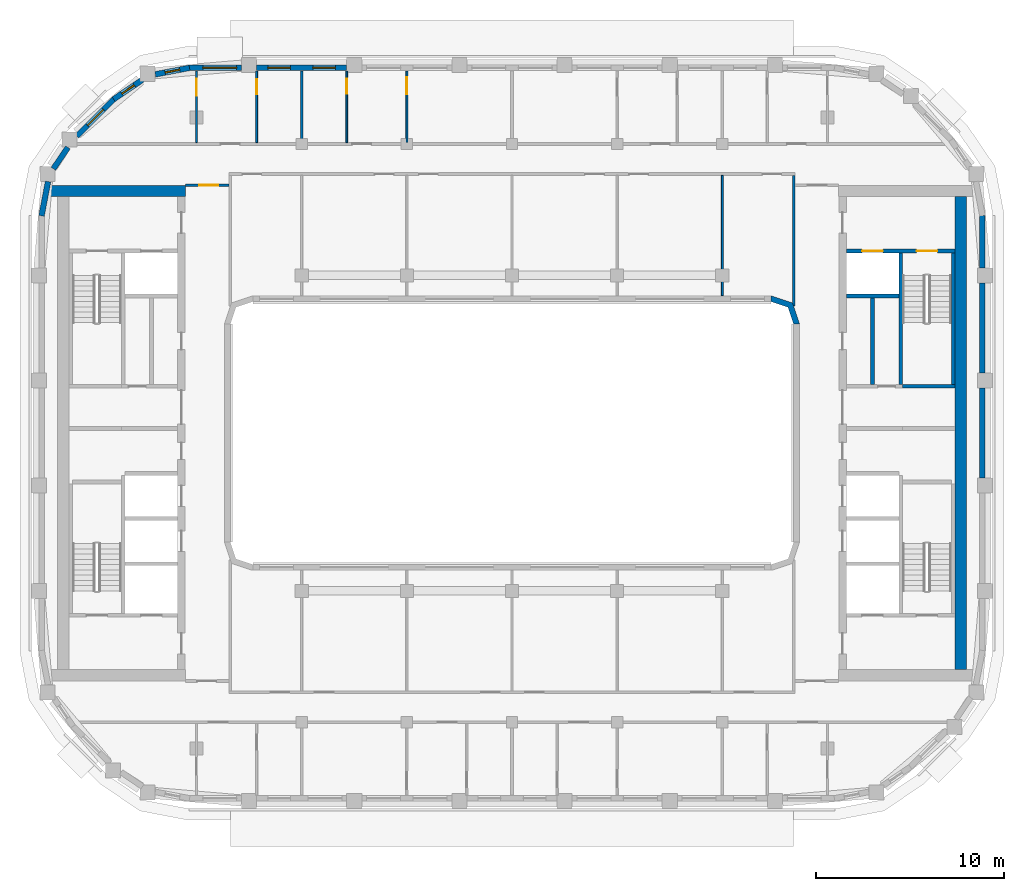
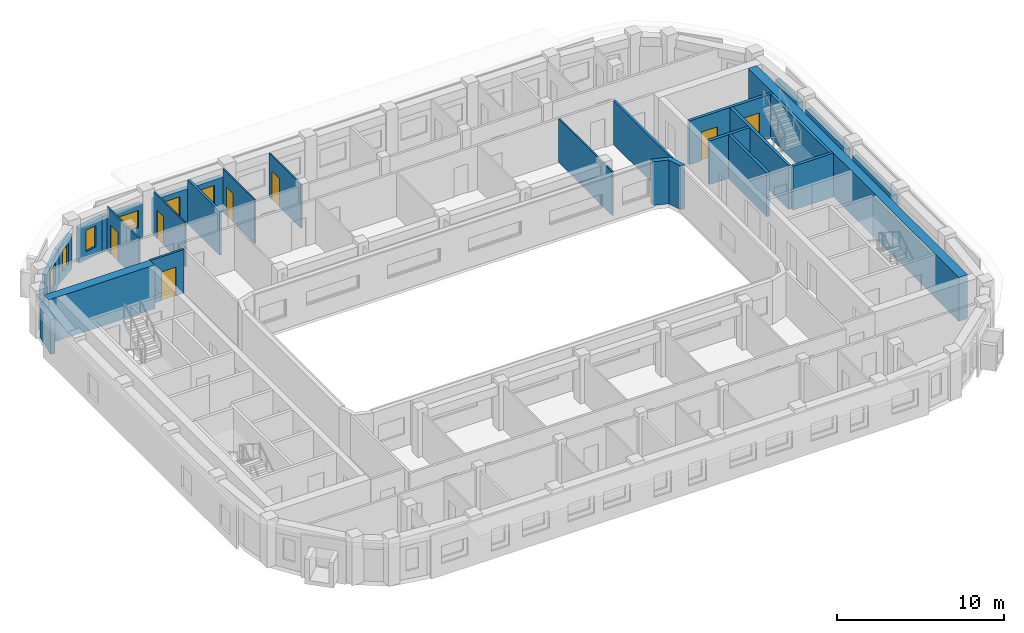
# One storey, part 6 of 15: 27 walls, 7 doors, 6 windows, 13 openings.
"""IFC4 building model written with IfcOpenShell, lengths in metres."""

from ifc_helpers import new_model, si_unit, direction, frame, frame_2d, origin, place, context, subcontext, project, spatial, polyline, rectangle, outline, extrude, material, layer, layer_set, type_object, element, fill, save


model = new_model("IFC4")

# Units and contexts
model_context = context("Model", 3, precision=1e-05, world=origin(), true_north=direction((0.0, 1.0)))
body_context = subcontext(model_context, "Body", "Model", "MODEL_VIEW")
ifc_project = project(units=[si_unit("LENGTHUNIT", "METRE"), si_unit("AREAUNIT", "SQUARE_METRE"), si_unit("VOLUMEUNIT", "CUBIC_METRE"), si_unit("PLANEANGLEUNIT", "RADIAN"), si_unit("MASSUNIT", "GRAM", prefix="KILO")], contexts=[model_context])

# Site, building, storey
site_placement = place(None, origin())
site = spatial("IfcSite", under=ifc_project, at=site_placement, CompositionType="ELEMENT")
building_placement = place(site_placement, origin())
building = spatial("IfcBuilding", under=site, at=building_placement, Name="Kiln Ring Residences", CompositionType="ELEMENT")
storey_placement = place(building_placement, frame((0.0, 0.0, 252.199951171875)))
storey = spatial("IfcBuildingStorey", under=building, at=storey_placement, Name="L65", CompositionType="ELEMENT", Elevation=252.199951171875)

# Walls
ifc_material_1 = material(Name="Gypsum board on steel studs", Category="steel")
ifc_layer_1 = layer(ifc_material_1, 0.199951171875)
ifc_layer_set_1 = layer_set([ifc_layer_1], Name="CORE-PARTITION-200")
wall_type_1 = type_object("IfcWallType", Name="CORE-PARTITION-200", PredefinedType="PARTITIONING", material=ifc_layer_set_1)
wall_1_placement = place(storey_placement, frame((19.199951171875, 2.60009765625, 0.0), z_axis=(0.0, 0.0, 1.0), x_axis=(0.0, 1.0, 0.0)))
element("IfcWall", 1, at=wall_1_placement, inside=storey, type_object=wall_type_1, Name="Core partition east L65 2", PredefinedType="PARTITIONING", context=body_context, shape_type="SweptSolid", body=[
    extrude(rectangle(XDim=4.599853515625, YDim=0.199951171875, at=frame_2d((2.2998046875, 0.0))), origin(), (0.0, 0.0, 1.0), 3.199951171875),
])
ifc_material_2 = material(Name="Gypsum shaft wall system")
ifc_layer_2 = layer(ifc_material_2, 0.199951171875)
ifc_layer_set_2 = layer_set([ifc_layer_2], Name="CORE-SHAFT-WALL-200")
wall_type_2 = type_object("IfcWallType", Name="CORE-SHAFT-WALL-200", PredefinedType="PARTITIONING", material=ifc_layer_set_2)
wall_2_placement = place(storey_placement, frame((17.800048828125, 7.300048828125, 0.0), z_axis=(0.0, 0.0, 1.0), x_axis=(1.0, 0.0, 0.0)))
element("IfcWall", 2, at=wall_2_placement, inside=storey, type_object=wall_type_2, Name="Core partition east L65 8", PredefinedType="PARTITIONING", context=body_context, shape_type="SweptSolid", body=[
    extrude(rectangle(XDim=2.800048828125, YDim=0.199951171875, at=frame_2d((1.39990234375, 0.0))), origin(), (0.0, 0.0, 1.0), 3.199951171875),
])
ifc_material_3 = material(Name="Concrete C40/50", Category="concrete")
ifc_layer_3 = layer(ifc_material_3, 0.199951171875)
ifc_layer_set_3 = layer_set([ifc_layer_3], Name="CORE-WALL-RC200")
wall_type_3 = type_object("IfcWallType", Name="CORE-WALL-RC200", PredefinedType="SHEAR", material=ifc_layer_set_3)
wall_3_placement = place(storey_placement, frame((20.699951171875, 2.60009765625, 0.0), z_axis=(0.0, 0.0, 1.0), x_axis=(0.0, 1.0, 0.0)))
element("IfcWall", 3, at=wall_3_placement, inside=storey, type_object=wall_type_3, Name="Core wall east L65 1", PredefinedType="SHEAR", context=body_context, shape_type="SweptSolid", body=[
    extrude(rectangle(XDim=7.0, YDim=0.199951171875, at=frame_2d((3.5, 0.0))), origin(), (0.0, 0.0, 1.0), 3.199951171875),
])
wall_4_placement = place(storey_placement, frame((20.800048828125, 2.5, 0.0), z_axis=(0.0, 0.0, 1.0), x_axis=(1.0, 0.0, 0.0)))
element("IfcWall", 4, at=wall_4_placement, inside=storey, type_object=wall_type_3, Name="Core wall east L65 3", PredefinedType="SHEAR", context=body_context, shape_type="SweptSolid", body=[
    extrude(rectangle(XDim=2.800048828125, YDim=0.199951171875, at=frame_2d((1.39990234375, 0.0))), origin(), (0.0, 0.0, 1.0), 3.199951171875),
])

# Wall, openings, doors
wall_5_placement = place(storey_placement, frame((17.800048828125, 9.699951171875, 0.0), z_axis=(0.0, 0.0, 1.0), x_axis=(1.0, 0.0, 0.0)))
wall_5 = element("IfcWall", 5, at=wall_5_placement, inside=storey, type_object=wall_type_3, Name="Core wall east L65 9", PredefinedType="SHEAR", context=body_context, shape_type="SweptSolid", body=[
    extrude(rectangle(XDim=5.800048828125, YDim=0.199951171875, at=frame_2d((2.89990234375, 0.0))), origin(), (0.0, 0.0, 1.0), 3.199951171875),
])
opening_1_placement = place(wall_5_placement, frame((0.85009765625, 0.0, 0.0)))
opening_1 = element("IfcOpeningElement", 6, at=opening_1_placement, cuts=wall_5, Name="Opening L65-CE07", PredefinedType="OPENING", context=body_context, shape_type="SweptSolid", body=[
    extrude(rectangle(XDim=1.10009765625, YDim=2.10009765625, at=frame_2d((0.550048828125, 1.050048828125))), frame((0.0, 0.10986328125, 0.0), z_axis=(0.0, -1.0, 0.0), x_axis=(1.0, 0.0, 0.0)), (0.0, 0.0, 1.0), 0.219970703125),
])
opening_2_placement = place(wall_5_placement, frame((3.75, 0.0, 0.0)))
opening_2 = element("IfcOpeningElement", 7, at=opening_2_placement, cuts=wall_5, Name="Opening L65-CE10", PredefinedType="OPENING", context=body_context, shape_type="SweptSolid", body=[
    extrude(rectangle(XDim=1.10009765625, YDim=2.10009765625, at=frame_2d((0.550048828125, 1.050048828125))), frame((0.0, 0.10986328125, 0.0), z_axis=(0.0, -1.0, 0.0), x_axis=(1.0, 0.0, 0.0)), (0.0, 0.0, 1.0), 0.219970703125),
])
ifc_material_4 = material(Name="Steel door leaf", Category="steel")
door_type_1 = type_object("IfcDoorType", Name="CORE-DOOR-LD", OperationType="DOUBLE_DOOR_SLIDING", PredefinedType="DOOR", material=ifc_material_4)
door_1_placement = place(opening_1_placement, origin())
door_1 = element("IfcDoor", 8, at=door_1_placement, inside=storey, type_object=door_type_1, Name="LD E-FF L65-CE07", OperationType="DOUBLE_DOOR_SLIDING", OverallHeight=2.10009765625, OverallWidth=1.10009765625, PredefinedType="DOOR", context=body_context, shape_type="SweptSolid", body=[
    extrude(rectangle(XDim=1.10009765625, YDim=2.10009765625, at=frame_2d((0.550048828125, 1.050048828125))), frame((0.0, 0.02490234375, 0.0), z_axis=(0.0, -1.0, 0.0), x_axis=(1.0, 0.0, 0.0)), (0.0, 0.0, 1.0), 0.050048828125),
])
fill(opening_1, door_1)
ifc_material_5 = material(Name="Steel door leaf", Category="steel")
door_type_2 = type_object("IfcDoorType", Name="CORE-DOOR-STAIR", OperationType="SINGLE_SWING_LEFT", PredefinedType="DOOR", material=ifc_material_5)
door_2_placement = place(opening_2_placement, origin())
door_2 = element("IfcDoor", 9, at=door_2_placement, inside=storey, type_object=door_type_2, Name="Stair E-STN L65-CE10", OperationType="SINGLE_SWING_LEFT", OverallHeight=2.10009765625, OverallWidth=1.10009765625, PredefinedType="DOOR", context=body_context, shape_type="SweptSolid", body=[
    extrude(rectangle(XDim=1.10009765625, YDim=2.10009765625, at=frame_2d((0.550048828125, 1.050048828125))), frame((0.0, 0.02490234375, 0.0), z_axis=(0.0, -1.0, 0.0), x_axis=(1.0, 0.0, 0.0)), (0.0, 0.0, 1.0), 0.050048828125),
])
fill(opening_2, door_2)

# Walls
wall_6_placement = place(storey_placement, frame((23.5, 2.60009765625, 0.0), z_axis=(0.0, 0.0, 1.0), x_axis=(0.0, 1.0, 0.0)))
element("IfcWall", 10, at=wall_6_placement, inside=storey, type_object=wall_type_3, Name="Core wall east L65 10", PredefinedType="SHEAR", context=body_context, shape_type="SweptSolid", body=[
    extrude(rectangle(XDim=7.0, YDim=0.199951171875, at=frame_2d((3.5, 0.0))), origin(), (0.0, 0.0, 1.0), 3.199951171875),
])
ifc_material_6 = material(Name="Concrete C60/75", Category="concrete")
ifc_layer_4 = layer(ifc_material_6, 0.60009765625)
ifc_layer_set_4 = layer_set([ifc_layer_4], Name="CORE-WALL-RC600")
wall_type_4 = type_object("IfcWallType", Name="CORE-WALL-RC600", PredefinedType="SHEAR", material=ifc_layer_set_4)
wall_7_placement = place(storey_placement, frame((-17.39990234375, 12.89990234375, 0.0), z_axis=(0.0, 0.0, 1.0), x_axis=(-1.0, 0.0, 0.0)))
element("IfcWall", 11, at=wall_7_placement, inside=storey, type_object=wall_type_4, Name="Core wall west L65 4", PredefinedType="SHEAR", context=body_context, shape_type="SweptSolid", body=[
    extrude(rectangle(XDim=7.320068359375, YDim=0.60009765625, at=frame_2d((3.66015625, 0.0))), origin(), (0.0, 0.0, 1.0), 3.199951171875),
])
wall_8_placement = place(storey_placement, frame((23.89990234375, -12.60009765625, 0.0), z_axis=(0.0, 0.0, 1.0), x_axis=(0.0, 1.0, 0.0)))
element("IfcWall", 12, at=wall_8_placement, inside=storey, type_object=wall_type_4, Name="Core wall east L65 7", PredefinedType="SHEAR", context=body_context, shape_type="SweptSolid", body=[
    extrude(rectangle(XDim=25.2001953125, YDim=0.60009765625, at=frame_2d((12.60009765625, 0.0))), origin(), (0.0, 0.0, 1.0), 3.199951171875),
])
ifc_material_7 = material(Name="Brick masonry, dark clay brick", Category="masonry")
ifc_layer_5 = layer(ifc_material_7, 0.300048828125)
ifc_layer_set_5 = layer_set([ifc_layer_5], Name="EW-300 BRICK WALL")
wall_type_5 = type_object("IfcWallType", Name="EW-300 BRICK WALL", PredefinedType="SOLIDWALL", material=ifc_layer_set_5)
wall_9_placement = place(storey_placement, frame((25.050048828125, -2.39990234375, 0.0), z_axis=(0.0, 0.0, 1.0), x_axis=(0.0, 1.0, 0.0)))
element("IfcWall", 13, at=wall_9_placement, inside=storey, type_object=wall_type_5, Name="Facade wall L65 18", PredefinedType="SOLIDWALL", context=body_context, shape_type="SweptSolid", body=[
    extrude(rectangle(XDim=4.7998046875, YDim=0.300048828125, at=frame_2d((2.39990234375, 0.0))), origin(), (0.0, 0.0, 1.0), 2.550048828125),
])
wall_10_placement = place(storey_placement, frame((25.050048828125, 3.199951171875, 0.0), z_axis=(0.0, 0.0, 1.0), x_axis=(0.0, 1.0, 0.0)))
element("IfcWall", 14, at=wall_10_placement, inside=storey, type_object=wall_type_5, Name="Facade wall L65 19", PredefinedType="SOLIDWALL", context=body_context, shape_type="SweptSolid", body=[
    extrude(rectangle(XDim=4.800048828125, YDim=0.300048828125, at=frame_2d((2.39990234375, 0.0))), origin(), (0.0, 0.0, 1.0), 2.550048828125),
])
wall_11_placement = place(storey_placement, frame((25.050048828125, 8.800048828125, 0.0), z_axis=(0.0, 0.0, 1.0), x_axis=(0.0, 1.0, 0.0)))
element("IfcWall", 15, at=wall_11_placement, inside=storey, type_object=wall_type_5, Name="Facade wall L65 20", PredefinedType="SOLIDWALL", context=body_context, shape_type="SweptSolid", body=[
    extrude(rectangle(XDim=2.800048828125, YDim=0.300048828125, at=frame_2d((1.39990234375, 0.0))), origin(), (0.0, 0.0, 1.0), 2.550048828125),
])

# Wall, openings, windows
wall_12_placement = place(storey_placement, frame((-8.800048828125, 19.449951171875, 0.0), z_axis=(0.0, 0.0, 1.0), x_axis=(-1.0, 0.0, 0.0)))
wall_12 = element("IfcWall", 16, at=wall_12_placement, inside=storey, type_object=wall_type_5, Name="Facade wall L65 31", PredefinedType="SOLIDWALL", context=body_context, shape_type="SweptSolid", body=[
    extrude(rectangle(XDim=4.800048828125, YDim=0.300048828125, at=frame_2d((2.39990234375, 0.0))), origin(), (0.0, 0.0, 1.0), 2.550048828125),
])
opening_3_placement = place(wall_12_placement, frame((0.60009765625, 0.0, 0.60009765625)))
opening_3 = element("IfcOpeningElement", 17, at=opening_3_placement, cuts=wall_12, Name="Opening W1", PredefinedType="OPENING", context=body_context, shape_type="SweptSolid", body=[
    extrude(rectangle(XDim=1.199951171875, YDim=1.550048828125, at=frame_2d((0.60009765625, 0.77490234375))), frame((0.0, 0.159912109375, 0.0), z_axis=(0.0, -1.0, 0.0), x_axis=(1.0, 0.0, 0.0)), (0.0, 0.0, 1.0), 0.320068359375),
])
opening_4_placement = place(wall_12_placement, frame((3.0, 0.0, 0.60009765625)))
opening_4 = element("IfcOpeningElement", 18, at=opening_4_placement, cuts=wall_12, Name="Opening W1", PredefinedType="OPENING", context=body_context, shape_type="SweptSolid", body=[
    extrude(rectangle(XDim=1.199951171875, YDim=1.550048828125, at=frame_2d((0.60009765625, 0.77490234375))), frame((0.0, 0.159912109375, 0.0), z_axis=(0.0, -1.0, 0.0), x_axis=(1.0, 0.0, 0.0)), (0.0, 0.0, 1.0), 0.320068359375),
])
ifc_material_8 = material(Name="Aluminium frame with double glazing", Category="aluminium")
window_type_1 = type_object("IfcWindowType", Name="WINDOW 1200 x 1550", PartitioningType="SINGLE_PANEL", PredefinedType="WINDOW", material=ifc_material_8)
window_1_placement = place(opening_3_placement, origin())
window_1 = element("IfcWindow", 19, at=window_1_placement, inside=storey, type_object=window_type_1, Name="Window L65 30", OverallHeight=1.550048828125, OverallWidth=1.199951171875, PartitioningType="SINGLE_PANEL", PredefinedType="WINDOW", context=body_context, shape_type="SweptSolid", body=[
    extrude(rectangle(XDim=1.199951171875, YDim=1.550048828125, at=frame_2d((0.60009765625, 0.77490234375))), frame((0.0, 0.030029296875, 0.0), z_axis=(0.0, -1.0, 0.0), x_axis=(1.0, 0.0, 0.0)), (0.0, 0.0, 1.0), 0.06005859375),
])
fill(opening_3, window_1)
window_2_placement = place(opening_4_placement, origin())
window_2 = element("IfcWindow", 20, at=window_2_placement, inside=storey, type_object=window_type_1, Name="Window L65 31", OverallHeight=1.550048828125, OverallWidth=1.199951171875, PartitioningType="SINGLE_PANEL", PredefinedType="WINDOW", context=body_context, shape_type="SweptSolid", body=[
    extrude(rectangle(XDim=1.199951171875, YDim=1.550048828125, at=frame_2d((0.60009765625, 0.77490234375))), frame((0.0, 0.030029296875, 0.0), z_axis=(0.0, -1.0, 0.0), x_axis=(1.0, 0.0, 0.0)), (0.0, 0.0, 1.0), 0.06005859375),
])
fill(opening_4, window_2)

# Wall, opening, window
wall_13_placement = place(storey_placement, frame((-14.39990234375, 19.449951171875, 0.0), z_axis=(0.0, 0.0, 1.0), x_axis=(-1.0, 0.0, 0.0)))
wall_13 = element("IfcWall", 21, at=wall_13_placement, inside=storey, type_object=wall_type_5, Name="Facade wall L65 32", PredefinedType="SOLIDWALL", context=body_context, shape_type="SweptSolid", body=[
    extrude(rectangle(XDim=2.800048828125, YDim=0.300048828125, at=frame_2d((1.39990234375, 0.0))), origin(), (0.0, 0.0, 1.0), 2.550048828125),
])
opening_5_placement = place(wall_13_placement, frame((0.262451171875, 0.0, 0.89990234375)))
opening_5 = element("IfcOpeningElement", 22, at=opening_5_placement, cuts=wall_13, Name="Opening W2", PredefinedType="OPENING", context=body_context, shape_type="SweptSolid", body=[
    extrude(rectangle(XDim=1.800048828125, YDim=1.25, at=frame_2d((0.89990234375, 0.625))), frame((0.0, 0.159912109375, 0.0), z_axis=(0.0, -1.0, 0.0), x_axis=(1.0, 0.0, 0.0)), (0.0, 0.0, 1.0), 0.320068359375),
])
ifc_material_9 = material(Name="Aluminium frame with double glazing", Category="aluminium")
window_type_2 = type_object("IfcWindowType", Name="WINDOW 1800 x 1250", PartitioningType="SINGLE_PANEL", PredefinedType="WINDOW", material=ifc_material_9)
window_3_placement = place(opening_5_placement, origin())
window_3 = element("IfcWindow", 23, at=window_3_placement, inside=storey, type_object=window_type_2, Name="Window L65 32", OverallHeight=1.25, OverallWidth=1.800048828125, PartitioningType="SINGLE_PANEL", PredefinedType="WINDOW", context=body_context, shape_type="SweptSolid", body=[
    extrude(rectangle(XDim=1.800048828125, YDim=1.25, at=frame_2d((0.89990234375, 0.625))), frame((0.0, 0.030029296875, 0.0), z_axis=(0.0, -1.0, 0.0), x_axis=(1.0, 0.0, 0.0)), (0.0, 0.0, 1.0), 0.06005859375),
])
fill(opening_5, window_3)

wall_14_placement = place(storey_placement, frame((-17.171875, 19.45263671875, 0.0), z_axis=(0.0, 0.0, 1.0), x_axis=(-0.982301706131, -0.187305520826, 0.0)))
wall_14 = element("IfcWall", 24, at=wall_14_placement, inside=storey, type_object=wall_type_5, Name="Facade wall L65 33", PredefinedType="SOLIDWALL", context=body_context, shape_type="SweptSolid", body=[
    extrude(rectangle(XDim=1.856201171875, YDim=0.300048828125, at=frame_2d((0.92822265625, 0.0))), origin(), (0.0, 0.0, 1.0), 2.550048828125),
])
opening_6_placement = place(wall_14_placement, frame((0.528076171875, 0.0, 0.60009765625)))
opening_6 = element("IfcOpeningElement", 25, at=opening_6_placement, cuts=wall_14, Name="Opening W5", PredefinedType="OPENING", context=body_context, shape_type="SweptSolid", body=[
    extrude(rectangle(XDim=0.800048828125, YDim=1.550048828125, at=frame_2d((0.39990234375, 0.77490234375))), frame((0.0, 0.159912109375, 0.0), z_axis=(0.0, -1.0, 0.0), x_axis=(1.0, 0.0, 0.0)), (0.0, 0.0, 1.0), 0.320068359375),
])
ifc_material_10 = material(Name="Aluminium frame with double glazing", Category="aluminium")
window_type_3 = type_object("IfcWindowType", Name="WINDOW 800 x 1550", PartitioningType="SINGLE_PANEL", PredefinedType="WINDOW", material=ifc_material_10)
window_4_placement = place(opening_6_placement, origin())
window_4 = element("IfcWindow", 26, at=window_4_placement, inside=storey, type_object=window_type_3, Name="Window L65 33", OverallHeight=1.550048828125, OverallWidth=0.800048828125, PartitioningType="SINGLE_PANEL", PredefinedType="WINDOW", context=body_context, shape_type="SweptSolid", body=[
    extrude(rectangle(XDim=0.800048828125, YDim=1.550048828125, at=frame_2d((0.39990234375, 0.77490234375))), frame((0.0, 0.030029296875, 0.0), z_axis=(0.0, -1.0, 0.0), x_axis=(1.0, 0.0, 0.0)), (0.0, 0.0, 1.0), 0.06005859375),
])
fill(opening_6, window_4)

wall_15_placement = place(storey_placement, frame((-19.677734375, 18.822265625, 0.0), z_axis=(0.0, 0.0, 1.0), x_axis=(-0.826997446962, -0.562205676526, 0.0)))
wall_15 = element("IfcWall", 27, at=wall_15_placement, inside=storey, type_object=wall_type_5, Name="Facade wall L65 34", PredefinedType="SOLIDWALL", context=body_context, shape_type="SweptSolid", body=[
    extrude(rectangle(XDim=1.85595703125, YDim=0.300048828125, at=frame_2d((0.927978515625, 0.0))), origin(), (0.0, 0.0, 1.0), 2.550048828125),
])
opening_7_placement = place(wall_15_placement, frame((0.528076171875, 0.0, 0.60009765625)))
opening_7 = element("IfcOpeningElement", 28, at=opening_7_placement, cuts=wall_15, Name="Opening W5", PredefinedType="OPENING", context=body_context, shape_type="SweptSolid", body=[
    extrude(rectangle(XDim=0.800048828125, YDim=1.550048828125, at=frame_2d((0.39990234375, 0.77490234375))), frame((0.0, 0.159912109375, 0.0), z_axis=(0.0, -1.0, 0.0), x_axis=(1.0, 0.0, 0.0)), (0.0, 0.0, 1.0), 0.320068359375),
])
window_5_placement = place(opening_7_placement, origin())
window_5 = element("IfcWindow", 29, at=window_5_placement, inside=storey, type_object=window_type_3, Name="Window L65 34", OverallHeight=1.550048828125, OverallWidth=0.800048828125, PartitioningType="SINGLE_PANEL", PredefinedType="WINDOW", context=body_context, shape_type="SweptSolid", body=[
    extrude(rectangle(XDim=0.800048828125, YDim=1.550048828125, at=frame_2d((0.39990234375, 0.77490234375))), frame((0.0, 0.030029296875, 0.0), z_axis=(0.0, -1.0, 0.0), x_axis=(1.0, 0.0, 0.0)), (0.0, 0.0, 1.0), 0.06005859375),
])
fill(opening_7, window_5)

wall_16_placement = place(storey_placement, frame((-21.19091796875, 17.796875, 0.0), z_axis=(0.0, 0.0, 1.0), x_axis=(-0.707106781187, -0.707106781187, 0.0)))
wall_16 = element("IfcWall", 30, at=wall_16_placement, inside=storey, type_object=wall_type_5, Name="Facade wall L65 35", PredefinedType="SOLIDWALL", context=body_context, shape_type="SweptSolid", body=[
    extrude(rectangle(XDim=2.800048828125, YDim=0.300048828125, at=frame_2d((1.39990234375, 0.0))), origin(), (0.0, 0.0, 1.0), 2.550048828125),
])
opening_8_placement = place(wall_16_placement, frame((0.800048828125, 0.0, 0.60009765625)))
opening_8 = element("IfcOpeningElement", 31, at=opening_8_placement, cuts=wall_16, Name="Opening W1", PredefinedType="OPENING", context=body_context, shape_type="SweptSolid", body=[
    extrude(rectangle(XDim=1.199951171875, YDim=1.550048828125, at=frame_2d((0.60009765625, 0.77490234375))), frame((0.0, 0.159912109375, 0.0), z_axis=(0.0, -1.0, 0.0), x_axis=(1.0, 0.0, 0.0)), (0.0, 0.0, 1.0), 0.320068359375),
])
window_6_placement = place(opening_8_placement, origin())
window_6 = element("IfcWindow", 32, at=window_6_placement, inside=storey, type_object=window_type_1, Name="Window L65 35", OverallHeight=1.550048828125, OverallWidth=1.199951171875, PartitioningType="SINGLE_PANEL", PredefinedType="WINDOW", context=body_context, shape_type="SweptSolid", body=[
    extrude(rectangle(XDim=1.199951171875, YDim=1.550048828125, at=frame_2d((0.60009765625, 0.77490234375))), frame((0.0, 0.030029296875, 0.0), z_axis=(0.0, -1.0, 0.0), x_axis=(1.0, 0.0, 0.0)), (0.0, 0.0, 1.0), 0.06005859375),
])
fill(opening_8, window_6)

# Walls
wall_17_placement = place(storey_placement, frame((-23.648193359375, 15.216552734375, 0.0), z_axis=(0.0, 0.0, 1.0), x_axis=(-0.562043265151, -0.827107833416, 0.0)))
element("IfcWall", 33, at=wall_17_placement, inside=storey, type_object=wall_type_5, Name="Facade wall L65 36", PredefinedType="SOLIDWALL", context=body_context, shape_type="SweptSolid", body=[
    extrude(rectangle(XDim=1.376953125, YDim=0.300048828125, at=frame_2d((0.6884765625, 0.0))), origin(), (0.0, 0.0, 1.0), 2.550048828125),
])
wall_18_placement = place(storey_placement, frame((-24.704833984375, 13.395263671875, 0.0), z_axis=(0.0, 0.0, 1.0), x_axis=(-0.187408222942, -0.982282117303, 0.0)))
element("IfcWall", 34, at=wall_18_placement, inside=storey, type_object=wall_type_5, Name="Facade wall L65 37", PredefinedType="SOLIDWALL", context=body_context, shape_type="SweptSolid", body=[
    extrude(rectangle(XDim=1.8564453125, YDim=0.300048828125, at=frame_2d((0.92822265625, 0.0))), origin(), (0.0, 0.0, 1.0), 2.550048828125),
])
wall_19_placement = place(storey_placement, origin())
element("IfcWall", 35, at=wall_19_placement, inside=storey, type_object=wall_type_5, Name="Corner wall L65 2", PredefinedType="SOLIDWALL", context=body_context, shape_type="SweptSolid", body=[
    extrude(outline(polyline([(14.937255859375, 6.937255859375), (13.8486328125, 7.300048828125), (13.800048828125, 7.300048828125), (13.800048828125, 7.0), (14.699951171875, 6.699951171875), (15.0, 5.800048828125), (15.300048828125, 5.800048828125), (15.300048828125, 5.8486328125), (14.937255859375, 6.937255859375)])), origin(), (0.0, 0.0, 1.0), 3.199951171875),
])

# Wall, opening, door
ifc_material_11 = material(Name="Gypsum board on steel studs", Category="steel")
ifc_layer_6 = layer(ifc_material_11, 0.10009765625)
ifc_layer_set_6 = layer_set([ifc_layer_6], Name="PARTITION-100")
wall_type_6 = type_object("IfcWallType", Name="PARTITION-100", PredefinedType="PARTITIONING", material=ifc_layer_set_6)
wall_20_placement = place(storey_placement, frame((-16.800048828125, 15.47509765625, 0.0), z_axis=(0.0, 0.0, 1.0), x_axis=(0.0, 1.0, 0.0)))
wall_20 = element("IfcWall", 36, at=wall_20_placement, inside=storey, type_object=wall_type_6, Name="Partition 009", PredefinedType="PARTITIONING", context=body_context, shape_type="SweptSolid", body=[
    extrude(rectangle(XDim=3.804931640625, YDim=0.10009765625, at=frame_2d((1.90234375, 0.0))), origin(), (0.0, 0.0, 1.0), 3.199951171875),
])
opening_9_placement = place(wall_20_placement, frame((2.485107421875, 0.0, 0.0)))
opening_9 = element("IfcOpeningElement", 37, at=opening_9_placement, cuts=wall_20, Name="Opening L65-D013", PredefinedType="OPENING", context=body_context, shape_type="SweptSolid", body=[
    extrude(rectangle(XDim=0.89990234375, YDim=2.10009765625, at=frame_2d((0.449951171875, 1.050048828125))), frame((0.0, 0.06005859375, 0.0), z_axis=(0.0, -1.0, 0.0), x_axis=(1.0, 0.0, 0.0)), (0.0, 0.0, 1.0), 0.1201171875),
])
ifc_material_12 = material(Name="Timber door leaf", Category="wood")
door_type_3 = type_object("IfcDoorType", Name="FLAT-DOOR-900-PL", OperationType="SINGLE_SWING_LEFT", PredefinedType="DOOR", material=ifc_material_12)
door_3_placement = place(opening_9_placement, origin())
door_3 = element("IfcDoor", 38, at=door_3_placement, inside=storey, type_object=door_type_3, Name="Door L65-D013", OperationType="SINGLE_SWING_LEFT", OverallHeight=2.10009765625, OverallWidth=0.89990234375, PredefinedType="DOOR", context=body_context, shape_type="SweptSolid", body=[
    extrude(rectangle(XDim=0.89990234375, YDim=2.10009765625, at=frame_2d((0.449951171875, 1.050048828125))), frame((0.0, 0.02490234375, 0.0), z_axis=(0.0, -1.0, 0.0), x_axis=(1.0, 0.0, 0.0)), (0.0, 0.0, 1.0), 0.050048828125),
])
fill(opening_9, door_3)

wall_21_placement = place(storey_placement, frame((-13.60009765625, 15.47509765625, 0.0), z_axis=(0.0, 0.0, 1.0), x_axis=(0.0, 1.0, 0.0)))
wall_21 = element("IfcWall", 39, at=wall_21_placement, inside=storey, type_object=wall_type_6, Name="Partition 013", PredefinedType="PARTITIONING", context=body_context, shape_type="SweptSolid", body=[
    extrude(rectangle(XDim=3.804931640625, YDim=0.10009765625, at=frame_2d((1.90234375, 0.0))), origin(), (0.0, 0.0, 1.0), 3.199951171875),
])
opening_10_placement = place(wall_21_placement, frame((2.575927734375, 0.0, 0.0)))
opening_10 = element("IfcOpeningElement", 40, at=opening_10_placement, cuts=wall_21, Name="Opening L65-D012", PredefinedType="OPENING", context=body_context, shape_type="SweptSolid", body=[
    extrude(rectangle(XDim=0.800048828125, YDim=2.10009765625, at=frame_2d((0.39990234375, 1.050048828125))), frame((0.0, 0.06005859375, 0.0), z_axis=(0.0, -1.0, 0.0), x_axis=(1.0, 0.0, 0.0)), (0.0, 0.0, 1.0), 0.1201171875),
])
ifc_material_13 = material(Name="Timber door leaf", Category="wood")
door_type_4 = type_object("IfcDoorType", Name="FLAT-DOOR-800-PL", OperationType="SINGLE_SWING_LEFT", PredefinedType="DOOR", material=ifc_material_13)
door_4_placement = place(opening_10_placement, origin())
door_4 = element("IfcDoor", 41, at=door_4_placement, inside=storey, type_object=door_type_4, Name="Door L65-D012", OperationType="SINGLE_SWING_RIGHT", OverallHeight=2.10009765625, OverallWidth=0.800048828125, PredefinedType="DOOR", context=body_context, shape_type="SweptSolid", body=[
    extrude(rectangle(XDim=0.800048828125, YDim=2.10009765625, at=frame_2d((0.39990234375, 1.050048828125))), frame((0.0, 0.02490234375, 0.0), z_axis=(0.0, -1.0, 0.0), x_axis=(1.0, 0.0, 0.0)), (0.0, 0.0, 1.0), 0.050048828125),
])
fill(opening_10, door_4)

wall_22_placement = place(storey_placement, frame((-8.800048828125, 15.47509765625, 0.0), z_axis=(0.0, 0.0, 1.0), x_axis=(0.0, 1.0, 0.0)))
wall_22 = element("IfcWall", 42, at=wall_22_placement, inside=storey, type_object=wall_type_6, Name="Partition 018", PredefinedType="PARTITIONING", context=body_context, shape_type="SweptSolid", body=[
    extrude(rectangle(XDim=3.804931640625, YDim=0.10009765625, at=frame_2d((1.90234375, 0.0))), origin(), (0.0, 0.0, 1.0), 3.199951171875),
])
opening_11_placement = place(wall_22_placement, frame((2.5849609375, 0.0, 0.0)))
opening_11 = element("IfcOpeningElement", 43, at=opening_11_placement, cuts=wall_22, Name="Opening L65-D015", PredefinedType="OPENING", context=body_context, shape_type="SweptSolid", body=[
    extrude(rectangle(XDim=0.800048828125, YDim=2.10009765625, at=frame_2d((0.39990234375, 1.050048828125))), frame((0.0, 0.06005859375, 0.0), z_axis=(0.0, -1.0, 0.0), x_axis=(1.0, 0.0, 0.0)), (0.0, 0.0, 1.0), 0.1201171875),
])
door_5_placement = place(opening_11_placement, origin())
door_5 = element("IfcDoor", 44, at=door_5_placement, inside=storey, type_object=door_type_4, Name="Door L65-D015", OperationType="SINGLE_SWING_LEFT", OverallHeight=2.10009765625, OverallWidth=0.800048828125, PredefinedType="DOOR", context=body_context, shape_type="SweptSolid", body=[
    extrude(rectangle(XDim=0.800048828125, YDim=2.10009765625, at=frame_2d((0.39990234375, 1.050048828125))), frame((0.0, 0.02490234375, 0.0), z_axis=(0.0, -1.0, 0.0), x_axis=(1.0, 0.0, 0.0)), (0.0, 0.0, 1.0), 0.050048828125),
])
fill(opening_11, door_5)

wall_23_placement = place(storey_placement, frame((-5.60009765625, 15.47509765625, 0.0), z_axis=(0.0, 0.0, 1.0), x_axis=(0.0, 1.0, 0.0)))
wall_23 = element("IfcWall", 45, at=wall_23_placement, inside=storey, type_object=wall_type_6, Name="Partition 022", PredefinedType="PARTITIONING", context=body_context, shape_type="SweptSolid", body=[
    extrude(rectangle(XDim=3.804931640625, YDim=0.10009765625, at=frame_2d((1.90234375, 0.0))), origin(), (0.0, 0.0, 1.0), 3.199951171875),
])
opening_12_placement = place(wall_23_placement, frame((2.575927734375, 0.0, 0.0)))
opening_12 = element("IfcOpeningElement", 46, at=opening_12_placement, cuts=wall_23, Name="Opening L65-D016", PredefinedType="OPENING", context=body_context, shape_type="SweptSolid", body=[
    extrude(rectangle(XDim=0.89990234375, YDim=2.10009765625, at=frame_2d((0.449951171875, 1.050048828125))), frame((0.0, 0.06005859375, 0.0), z_axis=(0.0, -1.0, 0.0), x_axis=(1.0, 0.0, 0.0)), (0.0, 0.0, 1.0), 0.1201171875),
])
door_6_placement = place(opening_12_placement, origin())
door_6 = element("IfcDoor", 47, at=door_6_placement, inside=storey, type_object=door_type_3, Name="Door L65-D016", OperationType="SINGLE_SWING_RIGHT", OverallHeight=2.10009765625, OverallWidth=0.89990234375, PredefinedType="DOOR", context=body_context, shape_type="SweptSolid", body=[
    extrude(rectangle(XDim=0.89990234375, YDim=2.10009765625, at=frame_2d((0.449951171875, 1.050048828125))), frame((0.0, 0.02490234375, 0.0), z_axis=(0.0, -1.0, 0.0), x_axis=(1.0, 0.0, 0.0)), (0.0, 0.0, 1.0), 0.050048828125),
])
fill(opening_12, door_6)

# Wall
wall_24_placement = place(storey_placement, frame((11.199951171875, 7.320068359375, 0.0), z_axis=(0.0, 0.0, 1.0), x_axis=(0.0, 1.0, 0.0)))
element("IfcWall", 48, at=wall_24_placement, inside=storey, type_object=wall_type_6, Name="Partition 035", PredefinedType="PARTITIONING", context=body_context, shape_type="SweptSolid", body=[
    extrude(rectangle(XDim=6.405029296875, YDim=0.10009765625, at=frame_2d((3.20263671875, 0.0))), origin(), (0.0, 0.0, 1.0), 3.199951171875),
])

# Wall, opening, door
ifc_material_14 = material(Name="Brick masonry partition", Category="masonry")
ifc_layer_7 = layer(ifc_material_14, 0.14990234375)
ifc_layer_set_7 = layer_set([ifc_layer_7], Name="PARTITION-150-ei60")
wall_type_7 = type_object("IfcWallType", Name="PARTITION-150-ei60", PredefinedType="PARTITIONING", material=ifc_layer_set_7)
wall_25_placement = place(storey_placement, frame((-17.39990234375, 13.199951171875, 0.0), z_axis=(0.0, 0.0, 1.0), x_axis=(1.0, 0.0, 0.0)))
wall_25 = element("IfcWall", 49, at=wall_25_placement, inside=storey, type_object=wall_type_7, Name="Partition 004", PredefinedType="PARTITIONING", context=body_context, shape_type="SweptSolid", body=[
    extrude(rectangle(XDim=2.324951171875, YDim=0.14990234375, at=frame_2d((1.16259765625, 0.0))), origin(), (0.0, 0.0, 1.0), 3.199951171875),
])
opening_13_placement = place(wall_25_placement, frame((0.75, 0.0, 0.0)))
opening_13 = element("IfcOpeningElement", 50, at=opening_13_placement, cuts=wall_25, Name="Opening L65-D001", PredefinedType="OPENING", context=body_context, shape_type="SweptSolid", body=[
    extrude(rectangle(XDim=1.0, YDim=2.10009765625, at=frame_2d((0.5, 1.050048828125))), frame((0.0, 0.0849609375, 0.0), z_axis=(0.0, -1.0, 0.0), x_axis=(1.0, 0.0, 0.0)), (0.0, 0.0, 1.0), 0.169921875),
])
ifc_material_15 = material(Name="Steel faced fire door leaf", Category="steel")
door_type_5 = type_object("IfcDoorType", Name="FLAT-DOOR-1000-FR", OperationType="SINGLE_SWING_LEFT", PredefinedType="DOOR", material=ifc_material_15)
door_7_placement = place(opening_13_placement, origin())
door_7 = element("IfcDoor", 51, at=door_7_placement, inside=storey, type_object=door_type_5, Name="Door L65-D001", OperationType="SINGLE_SWING_RIGHT", OverallHeight=2.10009765625, OverallWidth=1.0, PredefinedType="DOOR", context=body_context, shape_type="SweptSolid", body=[
    extrude(rectangle(XDim=1.0, YDim=2.10009765625, at=frame_2d((0.5, 1.050048828125))), frame((0.0, 0.02490234375, 0.0), z_axis=(0.0, -1.0, 0.0), x_axis=(1.0, 0.0, 0.0)), (0.0, 0.0, 1.0), 0.050048828125),
])
fill(opening_13, door_7)

# Walls
wall_26_placement = place(storey_placement, frame((-11.199951171875, 15.47509765625, 0.0), z_axis=(0.0, 0.0, 1.0), x_axis=(0.0, 1.0, 0.0)))
element("IfcWall", 52, at=wall_26_placement, inside=storey, type_object=wall_type_7, Name="Partition 017", PredefinedType="PARTITIONING", context=body_context, shape_type="SweptSolid", body=[
    extrude(rectangle(XDim=3.804931640625, YDim=0.14990234375, at=frame_2d((1.90234375, 0.0))), origin(), (0.0, 0.0, 1.0), 3.199951171875),
])
wall_27_placement = place(storey_placement, frame((15.0, 6.768798828125, 0.0), z_axis=(0.0, 0.0, 1.0), x_axis=(0.0, 1.0, 0.0)))
element("IfcWall", 53, at=wall_27_placement, inside=storey, type_object=wall_type_7, Name="Partition 041", PredefinedType="PARTITIONING", context=body_context, shape_type="SweptSolid", body=[
    extrude(rectangle(XDim=6.956298828125, YDim=0.14990234375, at=frame_2d((3.47802734375, 0.0))), origin(), (0.0, 0.0, 1.0), 3.199951171875),
])

save(model, "model.ifc")
